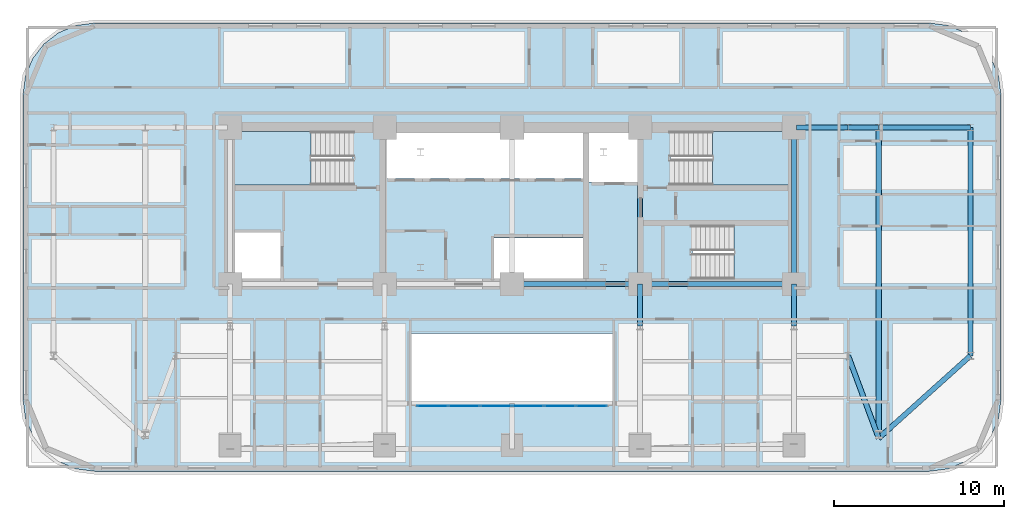
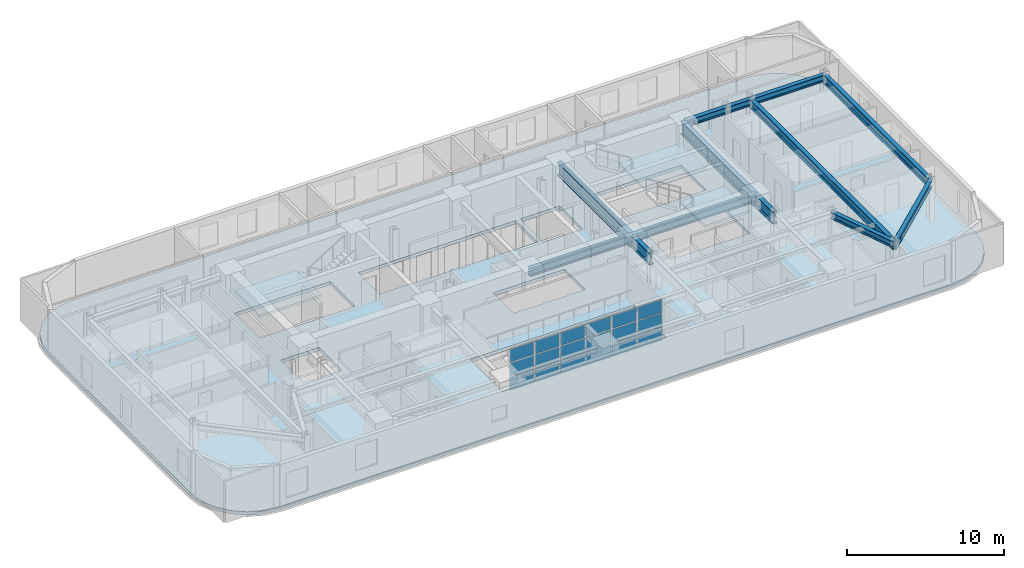
# One storey, part 6 of 16: 18 plates, 13 beams, 4 slabs, 4 elements without a shape of their own.
"""IFC4 building model written with IfcOpenShell, lengths in metres."""

from ifc_helpers import new_model, si_unit, direction, frame, origin, origin_2d, place, context, subcontext, project, spatial, polyline, rectangle, i_section, outline, extrude, material, layer, layer_set, material_profile, profile_set, type_object, element, aggregate, save


model = new_model("IFC4")

# Units and contexts
model_context = context("Model", 3, precision=1e-05, world=origin(), true_north=direction((0.0, 1.0)))
body_context = subcontext(model_context, "Body", "Model", "MODEL_VIEW")
ifc_project = project(units=[si_unit("LENGTHUNIT", "METRE"), si_unit("AREAUNIT", "SQUARE_METRE"), si_unit("VOLUMEUNIT", "CUBIC_METRE"), si_unit("PLANEANGLEUNIT", "RADIAN"), si_unit("MASSUNIT", "GRAM", prefix="KILO")], contexts=[model_context])

# Site, building, storey
site_placement = place(None, origin())
site = spatial("IfcSite", under=ifc_project, at=site_placement, CompositionType="ELEMENT")
building_placement = place(site_placement, origin())
building = spatial("IfcBuilding", under=site, at=building_placement, Name="Zarnavel Station Tower", CompositionType="ELEMENT")
storey_placement = place(building_placement, frame((0.0, 0.0, 86.300048828125)))
storey = spatial("IfcBuildingStorey", under=building, at=storey_placement, Name="L23", CompositionType="ELEMENT", Elevation=86.300048828125)

# Beams
ifc_material_1 = material(Name="Steel S355J2", Category="steel")
ifc_material_profile_1 = material_profile(ifc_material_1, i_section(OverallWidth=0.300048828125, OverallDepth=0.5, WebThickness=0.014404296875, FlangeThickness=0.028076171875, FilletRadius=0.027099609375, at=origin_2d()), Name="HEB500")
ifc_profile_set_1 = profile_set([ifc_material_profile_1], Name="Steel S355J2")
beam_type_1 = type_object("IfcBeamType", Name="FG_HEB500", PredefinedType="USERDEFINED", material=ifc_profile_set_1)
beam_1_placement = place(storey_placement, frame((45.544921875, 37.050048828125, 2.989990234375), z_axis=(1.0, 0.0, 0.0), x_axis=(0.0, 1.0, 0.0)))
element("IfcBeam", 1, at=beam_1_placement, inside=storey, type_object=beam_type_1, Name="L23 East Wing North Tie 1", ObjectType="GIRDER", PredefinedType="USERDEFINED", context=body_context, shape_type="SweptSolid", body=[
    extrude(i_section(OverallWidth=0.300048828125, OverallDepth=0.5, WebThickness=0.014404296875, FlangeThickness=0.028076171875, FilletRadius=0.027099609375, at=origin_2d()), origin(), (0.0, 0.0, 1.0), 3.05517578125),
])
beam_2_placement = place(storey_placement, frame((48.60009765625, 23.60009765625, 2.989990234375), z_axis=(0.34776602416, -0.937581352438, 0.0), x_axis=(0.937581352438, 0.34776602416, 0.0)))
element("IfcBeam", 2, at=beam_2_placement, inside=storey, type_object=beam_type_1, Name="L23 East Wing South Tie 2", ObjectType="GIRDER", PredefinedType="USERDEFINED", context=body_context, shape_type="SweptSolid", body=[
    extrude(i_section(OverallWidth=0.300048828125, OverallDepth=0.5, WebThickness=0.014404296875, FlangeThickness=0.028076171875, FilletRadius=0.027099609375, at=origin_2d()), origin(), (0.0, 0.0, 1.0), 5.17529296875),
])
beam_3_placement = place(storey_placement, frame((48.60009765625, 37.050048828125, 2.989990234375), z_axis=(1.0, 0.0, 0.0), x_axis=(0.0, 1.0, 0.0)))
element("IfcBeam", 3, at=beam_3_placement, inside=storey, type_object=beam_type_1, Name="L23 East Wing North Tie 2", ObjectType="GIRDER", PredefinedType="USERDEFINED", context=body_context, shape_type="SweptSolid", body=[
    extrude(i_section(OverallWidth=0.300048828125, OverallDepth=0.5, WebThickness=0.014404296875, FlangeThickness=0.028076171875, FilletRadius=0.027099609375, at=origin_2d()), origin(), (0.0, 0.0, 1.0), 1.7998046875),
])
beam_4_placement = place(storey_placement, frame((50.39990234375, 18.747802734375, 2.989990234375), z_axis=(0.743830663783, 0.668368119838, 0.0), x_axis=(-0.668368119838, 0.743830663783, 0.0)))
element("IfcBeam", 4, at=beam_4_placement, inside=storey, type_object=beam_type_1, Name="L23 East Wing South Tie 3", ObjectType="GIRDER", PredefinedType="USERDEFINED", context=body_context, shape_type="SweptSolid", body=[
    extrude(i_section(OverallWidth=0.300048828125, OverallDepth=0.5, WebThickness=0.014404296875, FlangeThickness=0.028076171875, FilletRadius=0.027099609375, at=origin_2d()), origin(), (0.0, 0.0, 1.0), 7.260009765625),
])
beam_5_placement = place(storey_placement, frame((50.39990234375, 37.050048828125, 2.989990234375), z_axis=(1.0, 0.0, 0.0), x_axis=(0.0, 1.0, 0.0)))
element("IfcBeam", 5, at=beam_5_placement, inside=storey, type_object=beam_type_1, Name="L23 East Wing North Tie 3", ObjectType="GIRDER", PredefinedType="USERDEFINED", context=body_context, shape_type="SweptSolid", body=[
    extrude(i_section(OverallWidth=0.300048828125, OverallDepth=0.5, WebThickness=0.014404296875, FlangeThickness=0.028076171875, FilletRadius=0.027099609375, at=origin_2d()), origin(), (0.0, 0.0, 1.0), 5.400146484375),
])
ifc_material_2 = material(Name="Steel S355J2", Category="steel")
ifc_material_profile_2 = material_profile(ifc_material_2, i_section(OverallWidth=0.300048828125, OverallDepth=0.60009765625, WebThickness=0.015380859375, FlangeThickness=0.030029296875, FilletRadius=0.027099609375, at=origin_2d()), Name="HEB600")
ifc_profile_set_2 = profile_set([ifc_material_profile_2], Name="Steel S355J2")
beam_type_2 = type_object("IfcBeamType", Name="FG_HEB600", PredefinedType="USERDEFINED", material=ifc_profile_set_2)
beam_6_placement = place(storey_placement, frame((28.800048828125, 27.820068359375, 2.93994140625), z_axis=(1.0, 0.0, 0.0), x_axis=(0.0, 1.0, 0.0)))
element("IfcBeam", 6, at=beam_6_placement, inside=storey, type_object=beam_type_2, Name="L23 Core Front Coupling Beam 3", ObjectType="GIRDER", PredefinedType="USERDEFINED", context=body_context, shape_type="SweptSolid", body=[
    extrude(i_section(OverallWidth=0.300048828125, OverallDepth=0.60009765625, WebThickness=0.015380859375, FlangeThickness=0.030029296875, FilletRadius=0.027099609375, at=origin_2d()), origin(), (0.0, 0.0, 1.0), 7.550048828125),
])
beam_7_placement = place(storey_placement, frame((36.35009765625, 27.820068359375, 2.93994140625), z_axis=(1.0, 0.0, 0.0), x_axis=(0.0, 1.0, 0.0)))
element("IfcBeam", 7, at=beam_7_placement, inside=storey, type_object=beam_type_2, Name="L23 Core Front Coupling Beam 4", ObjectType="GIRDER", PredefinedType="USERDEFINED", context=body_context, shape_type="SweptSolid", body=[
    extrude(i_section(OverallWidth=0.300048828125, OverallDepth=0.60009765625, WebThickness=0.015380859375, FlangeThickness=0.030029296875, FilletRadius=0.027099609375, at=origin_2d()), origin(), (0.0, 0.0, 1.0), 9.0498046875),
])
ifc_material_3 = material(Name="Steel S355J2", Category="steel")
ifc_material_profile_3 = material_profile(ifc_material_3, i_section(OverallWidth=0.300048828125, OverallDepth=0.64990234375, WebThickness=0.01611328125, FlangeThickness=0.031005859375, FilletRadius=0.027099609375, at=origin_2d()), Name="HEB650")
ifc_profile_set_3 = profile_set([ifc_material_profile_3], Name="Steel S355J2")
beam_type_3 = type_object("IfcBeamType", Name="FG_HEB650", PredefinedType="USERDEFINED", material=ifc_profile_set_3)
beam_8_placement = place(storey_placement, frame((50.39990234375, 18.747802734375, 2.9150390625), z_axis=(0.0, 1.0, 0.0), x_axis=(-1.0, 0.0, 0.0)))
element("IfcBeam", 8, at=beam_8_placement, inside=storey, type_object=beam_type_3, Name="L23 Wing NS Girder 3", ObjectType="GIRDER", PredefinedType="USERDEFINED", context=body_context, shape_type="SweptSolid", body=[
    extrude(i_section(OverallWidth=0.300048828125, OverallDepth=0.64990234375, WebThickness=0.01611328125, FlangeThickness=0.031005859375, FilletRadius=0.027099609375, at=origin_2d()), origin(), (0.0, 0.0, 1.0), 18.30224609375),
])
beam_9_placement = place(storey_placement, frame((55.800048828125, 23.60009765625, 2.9150390625), z_axis=(0.0, 1.0, 0.0), x_axis=(-1.0, 0.0, 0.0)))
element("IfcBeam", 9, at=beam_9_placement, inside=storey, type_object=beam_type_3, Name="L23 Wing NS Girder 4", ObjectType="GIRDER", PredefinedType="USERDEFINED", context=body_context, shape_type="SweptSolid", body=[
    extrude(i_section(OverallWidth=0.300048828125, OverallDepth=0.64990234375, WebThickness=0.01611328125, FlangeThickness=0.031005859375, FilletRadius=0.027099609375, at=origin_2d()), origin(), (0.0, 0.0, 1.0), 13.449951171875),
])
ifc_material_4 = material(Name="Steel S460M", Category="steel")
ifc_material_profile_4 = material_profile(ifc_material_4, i_section(OverallWidth=0.302001953125, OverallDepth=1.008056640625, WebThickness=0.02099609375, FlangeThickness=0.0400390625, FilletRadius=0.030029296875, at=origin_2d()), Name="HEM1000")
ifc_profile_set_4 = profile_set([ifc_material_profile_4], Name="Steel S460M")
beam_type_4 = type_object("IfcBeamType", Name="TG_HEM1000", PredefinedType="USERDEFINED", material=ifc_profile_set_4)
for number, where, z_axis, x_axis, name in (
    (10, (36.35009765625, 27.820068359375, 2.73583984375), (0.0, 1.0, 0.0), (-1.0, 0.0, 0.0), "L23 Core Spine Coupling Girder 4"),
    (11, (45.39990234375, 27.820068359375, 2.73583984375), (0.0, 1.0, 0.0), (-1.0, 0.0, 0.0), "L23 Core Spine Coupling Girder 5"),
):
    element("IfcBeam", number, at=place(storey_placement, frame(where, z_axis=z_axis, x_axis=x_axis)), inside=storey, type_object=beam_type_4, Name=name, ObjectType="GIRDER", PredefinedType="USERDEFINED", context=body_context, shape_type="SweptSolid", body=[
        extrude(i_section(OverallWidth=0.302001953125, OverallDepth=1.008056640625, WebThickness=0.02099609375, FlangeThickness=0.0400390625, FilletRadius=0.030029296875, at=origin_2d()), origin(), (0.0, 0.0, 1.0), 9.22998046875),
    ])
ifc_material_5 = material(Name="Steel S460M", Category="steel")
ifc_material_profile_5 = material_profile(ifc_material_5, i_section(OverallWidth=0.302001953125, OverallDepth=0.909912109375, WebThickness=0.02099609375, FlangeThickness=0.0400390625, FilletRadius=0.030029296875, at=origin_2d()), Name="HEM900")
ifc_profile_set_5 = profile_set([ifc_material_profile_5], Name="Steel S460M")
beam_type_5 = type_object("IfcBeamType", Name="TG_HEM900", PredefinedType="USERDEFINED", material=ifc_profile_set_5)
for number, where, z_axis, x_axis, name in (
    (12, (36.35009765625, 25.35009765625, 2.784912109375), (0.0, 1.0, 0.0), (-1.0, 0.0, 0.0), "L23 Inner-Zone NS Girder 4"),
    (13, (45.39990234375, 25.35009765625, 2.784912109375), (0.0, 1.0, 0.0), (-1.0, 0.0, 0.0), "L23 Inner-Zone NS Girder 5"),
):
    element("IfcBeam", number, at=place(storey_placement, frame(where, z_axis=z_axis, x_axis=x_axis)), inside=storey, type_object=beam_type_5, Name=name, ObjectType="GIRDER", PredefinedType="USERDEFINED", context=body_context, shape_type="SweptSolid", body=[
        extrude(i_section(OverallWidth=0.302001953125, OverallDepth=0.909912109375, WebThickness=0.02099609375, FlangeThickness=0.0400390625, FilletRadius=0.030029296875, at=origin_2d()), origin(), (0.0, 0.0, 1.0), 2.469970703125),
    ])

# Curtain wall, plates
ifc_material_6 = material(Name="Aluminium Dark Anodised and Solar-Control Glass", Category="aluminium")
ifc_layer_1 = layer(ifc_material_6, 0.179931640625)
ifc_layer_set_1 = layer_set([ifc_layer_1], Name="CWS3")
curtain_wall_type = type_object("IfcCurtainWallType", Name="CWS3", PredefinedType="NOTDEFINED", material=ifc_layer_set_1)
curtain_wall_placement = place(storey_placement, origin())
curtain_wall = element("IfcCurtainWall", 14, at=curtain_wall_placement, inside=storey, type_object=curtain_wall_type, Name="L23 Curtain Wall CWS3-L23-AS", PredefinedType="NOTDEFINED")
ifc_material_7 = material(Name="Double Low-E Dark Solar-Control Glass", Category="glass")
ifc_layer_2 = layer(ifc_material_7, 0.030029296875)
ifc_layer_set_2 = layer_set([ifc_layer_2], Name="CWS3_PNL")
plate_type = type_object("IfcPlateType", Name="CWS3_PNL", PredefinedType="CURTAIN_PANEL", material=ifc_layer_set_2)
plate_1_placement = place(storey_placement, frame((24.106689453125, 20.64990234375, 0.06005859375), z_axis=(0.0, 0.0, 1.0), x_axis=(1.0, 0.0, 0.0)))
plate_1 = element("IfcPlate", 15, at=plate_1_placement, type_object=plate_type, Name="CW3 panel 1.1", PredefinedType="CURTAIN_PANEL", context=body_context, shape_type="SweptSolid", body=[
    extrude(rectangle(XDim=1.793212890625, YDim=0.028076171875, at=origin_2d()), origin(), (0.0, 0.0, 1.0), 0.989990234375),
])
plate_2_placement = place(storey_placement, frame((24.106689453125, 20.64990234375, 1.10986328125), z_axis=(0.0, 0.0, 1.0), x_axis=(1.0, 0.0, 0.0)))
plate_2 = element("IfcPlate", 16, at=plate_2_placement, type_object=plate_type, Name="CW3 panel 1.2", PredefinedType="CURTAIN_PANEL", context=body_context, shape_type="SweptSolid", body=[
    extrude(rectangle(XDim=1.793212890625, YDim=0.028076171875, at=origin_2d()), origin(), (0.0, 0.0, 1.0), 1.02001953125),
])
plate_3_placement = place(storey_placement, frame((24.106689453125, 20.64990234375, 2.18994140625), z_axis=(0.0, 0.0, 1.0), x_axis=(1.0, 0.0, 0.0)))
plate_3 = element("IfcPlate", 17, at=plate_3_placement, type_object=plate_type, Name="CW3 panel 1.3", PredefinedType="CURTAIN_PANEL", context=body_context, shape_type="SweptSolid", body=[
    extrude(rectangle(XDim=1.793212890625, YDim=0.028076171875, at=origin_2d()), origin(), (0.0, 0.0, 1.0), 0.989990234375),
])
plate_4_placement = place(storey_placement, frame((25.97509765625, 20.64990234375, 0.06005859375), z_axis=(0.0, 0.0, 1.0), x_axis=(1.0, 0.0, 0.0)))
plate_4 = element("IfcPlate", 18, at=plate_4_placement, type_object=plate_type, Name="CW3 panel 2.1", PredefinedType="CURTAIN_PANEL", context=body_context, shape_type="SweptSolid", body=[
    extrude(rectangle(XDim=1.8232421875, YDim=0.028076171875, at=origin_2d()), origin(), (0.0, 0.0, 1.0), 0.989990234375),
])
plate_5_placement = place(storey_placement, frame((25.97509765625, 20.64990234375, 1.10986328125), z_axis=(0.0, 0.0, 1.0), x_axis=(1.0, 0.0, 0.0)))
plate_5 = element("IfcPlate", 19, at=plate_5_placement, type_object=plate_type, Name="CW3 panel 2.2", PredefinedType="CURTAIN_PANEL", context=body_context, shape_type="SweptSolid", body=[
    extrude(rectangle(XDim=1.8232421875, YDim=0.028076171875, at=origin_2d()), origin(), (0.0, 0.0, 1.0), 1.02001953125),
])
plate_6_placement = place(storey_placement, frame((25.97509765625, 20.64990234375, 2.18994140625), z_axis=(0.0, 0.0, 1.0), x_axis=(1.0, 0.0, 0.0)))
plate_6 = element("IfcPlate", 20, at=plate_6_placement, type_object=plate_type, Name="CW3 panel 2.3", PredefinedType="CURTAIN_PANEL", context=body_context, shape_type="SweptSolid", body=[
    extrude(rectangle(XDim=1.8232421875, YDim=0.028076171875, at=origin_2d()), origin(), (0.0, 0.0, 1.0), 0.989990234375),
])
plate_7_placement = place(storey_placement, frame((27.8583984375, 20.64990234375, 0.06005859375), z_axis=(0.0, 0.0, 1.0), x_axis=(1.0, 0.0, 0.0)))
plate_7 = element("IfcPlate", 21, at=plate_7_placement, type_object=plate_type, Name="CW3 panel 3.1", PredefinedType="CURTAIN_PANEL", context=body_context, shape_type="SweptSolid", body=[
    extrude(rectangle(XDim=1.8232421875, YDim=0.028076171875, at=origin_2d()), origin(), (0.0, 0.0, 1.0), 0.989990234375),
])
plate_8_placement = place(storey_placement, frame((27.8583984375, 20.64990234375, 1.10986328125), z_axis=(0.0, 0.0, 1.0), x_axis=(1.0, 0.0, 0.0)))
plate_8 = element("IfcPlate", 22, at=plate_8_placement, type_object=plate_type, Name="CW3 panel 3.2", PredefinedType="CURTAIN_PANEL", context=body_context, shape_type="SweptSolid", body=[
    extrude(rectangle(XDim=1.8232421875, YDim=0.028076171875, at=origin_2d()), origin(), (0.0, 0.0, 1.0), 1.02001953125),
])
plate_9_placement = place(storey_placement, frame((27.8583984375, 20.64990234375, 2.18994140625), z_axis=(0.0, 0.0, 1.0), x_axis=(1.0, 0.0, 0.0)))
plate_9 = element("IfcPlate", 23, at=plate_9_placement, type_object=plate_type, Name="CW3 panel 3.3", PredefinedType="CURTAIN_PANEL", context=body_context, shape_type="SweptSolid", body=[
    extrude(rectangle(XDim=1.8232421875, YDim=0.028076171875, at=origin_2d()), origin(), (0.0, 0.0, 1.0), 0.989990234375),
])
plate_10_placement = place(storey_placement, frame((29.74169921875, 20.64990234375, 0.06005859375), z_axis=(0.0, 0.0, 1.0), x_axis=(1.0, 0.0, 0.0)))
plate_10 = element("IfcPlate", 24, at=plate_10_placement, type_object=plate_type, Name="CW3 panel 4.1", PredefinedType="CURTAIN_PANEL", context=body_context, shape_type="SweptSolid", body=[
    extrude(rectangle(XDim=1.8232421875, YDim=0.028076171875, at=origin_2d()), origin(), (0.0, 0.0, 1.0), 0.989990234375),
])
plate_11_placement = place(storey_placement, frame((29.74169921875, 20.64990234375, 1.10986328125), z_axis=(0.0, 0.0, 1.0), x_axis=(1.0, 0.0, 0.0)))
plate_11 = element("IfcPlate", 25, at=plate_11_placement, type_object=plate_type, Name="CW3 panel 4.2", PredefinedType="CURTAIN_PANEL", context=body_context, shape_type="SweptSolid", body=[
    extrude(rectangle(XDim=1.8232421875, YDim=0.028076171875, at=origin_2d()), origin(), (0.0, 0.0, 1.0), 1.02001953125),
])
plate_12_placement = place(storey_placement, frame((29.74169921875, 20.64990234375, 2.18994140625), z_axis=(0.0, 0.0, 1.0), x_axis=(1.0, 0.0, 0.0)))
plate_12 = element("IfcPlate", 26, at=plate_12_placement, type_object=plate_type, Name="CW3 panel 4.3", PredefinedType="CURTAIN_PANEL", context=body_context, shape_type="SweptSolid", body=[
    extrude(rectangle(XDim=1.8232421875, YDim=0.028076171875, at=origin_2d()), origin(), (0.0, 0.0, 1.0), 0.989990234375),
])
plate_13_placement = place(storey_placement, frame((31.625, 20.64990234375, 0.06005859375), z_axis=(0.0, 0.0, 1.0), x_axis=(1.0, 0.0, 0.0)))
plate_13 = element("IfcPlate", 27, at=plate_13_placement, type_object=plate_type, Name="CW3 panel 5.1", PredefinedType="CURTAIN_PANEL", context=body_context, shape_type="SweptSolid", body=[
    extrude(rectangle(XDim=1.8232421875, YDim=0.028076171875, at=origin_2d()), origin(), (0.0, 0.0, 1.0), 0.989990234375),
])
plate_14_placement = place(storey_placement, frame((31.625, 20.64990234375, 1.10986328125), z_axis=(0.0, 0.0, 1.0), x_axis=(1.0, 0.0, 0.0)))
plate_14 = element("IfcPlate", 28, at=plate_14_placement, type_object=plate_type, Name="CW3 panel 5.2", PredefinedType="CURTAIN_PANEL", context=body_context, shape_type="SweptSolid", body=[
    extrude(rectangle(XDim=1.8232421875, YDim=0.028076171875, at=origin_2d()), origin(), (0.0, 0.0, 1.0), 1.02001953125),
])
plate_15_placement = place(storey_placement, frame((31.625, 20.64990234375, 2.18994140625), z_axis=(0.0, 0.0, 1.0), x_axis=(1.0, 0.0, 0.0)))
plate_15 = element("IfcPlate", 29, at=plate_15_placement, type_object=plate_type, Name="CW3 panel 5.3", PredefinedType="CURTAIN_PANEL", context=body_context, shape_type="SweptSolid", body=[
    extrude(rectangle(XDim=1.8232421875, YDim=0.028076171875, at=origin_2d()), origin(), (0.0, 0.0, 1.0), 0.989990234375),
])
plate_16_placement = place(storey_placement, frame((33.493408203125, 20.64990234375, 0.06005859375), z_axis=(0.0, 0.0, 1.0), x_axis=(1.0, 0.0, 0.0)))
plate_16 = element("IfcPlate", 30, at=plate_16_placement, type_object=plate_type, Name="CW3 panel 6.1", PredefinedType="CURTAIN_PANEL", context=body_context, shape_type="SweptSolid", body=[
    extrude(rectangle(XDim=1.793212890625, YDim=0.028076171875, at=origin_2d()), origin(), (0.0, 0.0, 1.0), 0.989990234375),
])
plate_17_placement = place(storey_placement, frame((33.493408203125, 20.64990234375, 1.10986328125), z_axis=(0.0, 0.0, 1.0), x_axis=(1.0, 0.0, 0.0)))
plate_17 = element("IfcPlate", 31, at=plate_17_placement, type_object=plate_type, Name="CW3 panel 6.2", PredefinedType="CURTAIN_PANEL", context=body_context, shape_type="SweptSolid", body=[
    extrude(rectangle(XDim=1.793212890625, YDim=0.028076171875, at=origin_2d()), origin(), (0.0, 0.0, 1.0), 1.02001953125),
])
plate_18_placement = place(storey_placement, frame((33.493408203125, 20.64990234375, 2.18994140625), z_axis=(0.0, 0.0, 1.0), x_axis=(1.0, 0.0, 0.0)))
plate_18 = element("IfcPlate", 32, at=plate_18_placement, type_object=plate_type, Name="CW3 panel 6.3", PredefinedType="CURTAIN_PANEL", context=body_context, shape_type="SweptSolid", body=[
    extrude(rectangle(XDim=1.793212890625, YDim=0.028076171875, at=origin_2d()), origin(), (0.0, 0.0, 1.0), 0.989990234375),
])
aggregate(curtain_wall, [plate_1, plate_2, plate_3, plate_4, plate_5, plate_6, plate_7, plate_8, plate_9, plate_10, plate_11, plate_12, plate_13, plate_14, plate_15, plate_16, plate_17, plate_18])

# Slab
ifc_material_8 = material(Name="Concrete C45/55", Category="concrete")
ifc_layer_3 = layer(ifc_material_8, 0.260009765625)
ifc_layer_set_3 = layer_set([ifc_layer_3], Name="SL_FLR_260")
slab_type_1 = type_object("IfcSlabType", Name="SL_FLR_260", PredefinedType="FLOOR", material=ifc_layer_set_3)
slab_1_placement = place(storey_placement, frame((0.0, 0.0, -0.260009765625)))
element("IfcSlab", 33, at=slab_1_placement, inside=storey, type_object=slab_type_1, Name="L23 Structural Floor Slab", PredefinedType="FLOOR", context=body_context, shape_type="SweptSolid", body=[
    extrude(outline(polyline([(53.39990234375, 16.800048828125), (54.487060546875, 16.943115234375), (55.5, 17.36279296875), (56.369873046875, 18.0302734375), (57.037353515625, 18.89990234375), (57.456787109375, 19.9130859375), (57.60009765625, 21.0), (57.60009765625, 39.0), (57.456787109375, 40.0869140625), (57.037353515625, 41.10009765625), (56.369873046875, 41.9697265625), (55.5, 42.63720703125), (54.487060546875, 43.056884765625), (53.39990234375, 43.199951171875), (4.199951171875, 43.199951171875), (3.113037109375, 43.056884765625), (2.10009765625, 42.63720703125), (1.230224609375, 41.9697265625), (0.562744140625, 41.10009765625), (0.14306640625, 40.0869140625), (0.0, 39.0), (0.0, 21.0), (0.14306640625, 19.9130859375), (0.562744140625, 18.89990234375), (1.230224609375, 18.0302734375), (2.10009765625, 17.36279296875), (3.113037109375, 16.943115234375), (4.199951171875, 16.800048828125), (53.39990234375, 16.800048828125)]), holes=[polyline([(12.39990234375, 33.659912109375), (19.409912109375, 33.659912109375), (19.409912109375, 36.820068359375), (12.39990234375, 36.820068359375), (12.39990234375, 33.659912109375)]), polyline([(38.14990234375, 33.659912109375), (45.159912109375, 33.659912109375), (45.159912109375, 36.820068359375), (38.14990234375, 36.820068359375), (38.14990234375, 33.659912109375)]), polyline([(39.419921875, 28.1201171875), (45.14990234375, 28.1201171875), (45.14990234375, 31.280029296875), (39.419921875, 31.280029296875), (39.419921875, 28.1201171875)]), polyline([(12.35009765625, 27.949951171875), (15.14990234375, 27.949951171875), (15.14990234375, 30.85009765625), (12.35009765625, 30.85009765625), (12.35009765625, 27.949951171875)]), polyline([(33.320068359375, 33.85009765625), (36.2099609375, 33.85009765625), (36.2099609375, 36.780029296875), (33.320068359375, 36.780029296875), (33.320068359375, 33.85009765625)]), polyline([(21.449951171875, 34.050048828125), (32.97998046875, 34.050048828125), (32.97998046875, 36.780029296875), (21.449951171875, 36.780029296875), (21.449951171875, 34.050048828125)]), polyline([(27.75, 27.949951171875), (32.97998046875, 27.949951171875), (32.97998046875, 30.550048828125), (27.75, 30.550048828125), (27.75, 27.949951171875)]), polyline([(22.800048828125, 20.800048828125), (34.800048828125, 20.800048828125), (34.800048828125, 24.89990234375), (22.800048828125, 24.89990234375), (22.800048828125, 20.800048828125)])]), origin(), (0.0, 0.0, 1.0), 0.260009765625),
])

# Stair, slab
ifc_material_9 = material(Name="Concrete C45/55", Category="concrete")
stair_type = type_object("IfcStairType", Name="ST_CORE_150", PredefinedType="HALF_TURN_STAIR", material=ifc_material_9)
stair_1_placement = place(storey_placement, origin())
stair_1 = element("IfcStair", 34, at=stair_1_placement, inside=storey, type_object=stair_type, Name="L23 Core Exit Stair ST1", PredefinedType="HALF_TURN_STAIR")
ifc_material_10 = material(Name="Concrete C45/55", Category="concrete")
ifc_layer_4 = layer(ifc_material_10, 0.199951171875)
ifc_layer_set_4 = layer_set([ifc_layer_4], Name="SL_STAIR_LAND_200")
slab_type_2 = type_object("IfcSlabType", Name="SL_STAIR_LAND_200", PredefinedType="LANDING", material=ifc_layer_set_4)
slab_2_placement = place(storey_placement, frame((0.0, 0.0, 1.550048828125)))
slab_2 = element("IfcSlab", 35, at=slab_2_placement, type_object=slab_type_2, Name="ST1 landing 1", PredefinedType="LANDING", context=body_context, shape_type="SweptSolid", body=[
    extrude(outline(polyline([(16.9599609375, 36.820068359375), (12.39990234375, 36.820068359375), (12.39990234375, 33.659912109375), (16.9599609375, 33.659912109375), (16.9599609375, 36.820068359375)])), origin(), (0.0, 0.0, 1.0), 0.199951171875),
])
aggregate(stair_1, [slab_2])

stair_2_placement = place(storey_placement, origin())
stair_2 = element("IfcStair", 36, at=stair_2_placement, inside=storey, type_object=stair_type, Name="L23 Core Exit Stair ST2", PredefinedType="HALF_TURN_STAIR")
slab_3_placement = place(storey_placement, frame((0.0, 0.0, 1.550048828125)))
slab_3 = element("IfcSlab", 37, at=slab_3_placement, type_object=slab_type_2, Name="ST2 landing 1", PredefinedType="LANDING", context=body_context, shape_type="SweptSolid", body=[
    extrude(outline(polyline([(40.60009765625, 33.659912109375), (45.159912109375, 33.659912109375), (45.159912109375, 36.820068359375), (40.60009765625, 36.820068359375), (40.60009765625, 33.659912109375)])), origin(), (0.0, 0.0, 1.0), 0.199951171875),
])
aggregate(stair_2, [slab_3])

stair_3_placement = place(storey_placement, origin())
stair_3 = element("IfcStair", 38, at=stair_3_placement, inside=storey, type_object=stair_type, Name="L23 Core Exit Stair ST3", PredefinedType="HALF_TURN_STAIR")
slab_4_placement = place(storey_placement, frame((0.0, 0.0, 1.550048828125)))
slab_4 = element("IfcSlab", 39, at=slab_4_placement, type_object=slab_type_2, Name="ST3 landing 1", PredefinedType="LANDING", context=body_context, shape_type="SweptSolid", body=[
    extrude(outline(polyline([(41.8701171875, 28.1201171875), (45.14990234375, 28.1201171875), (45.14990234375, 31.280029296875), (41.8701171875, 31.280029296875), (41.8701171875, 28.1201171875)])), origin(), (0.0, 0.0, 1.0), 0.199951171875),
])
aggregate(stair_3, [slab_4])

save(model, "model.ifc")
